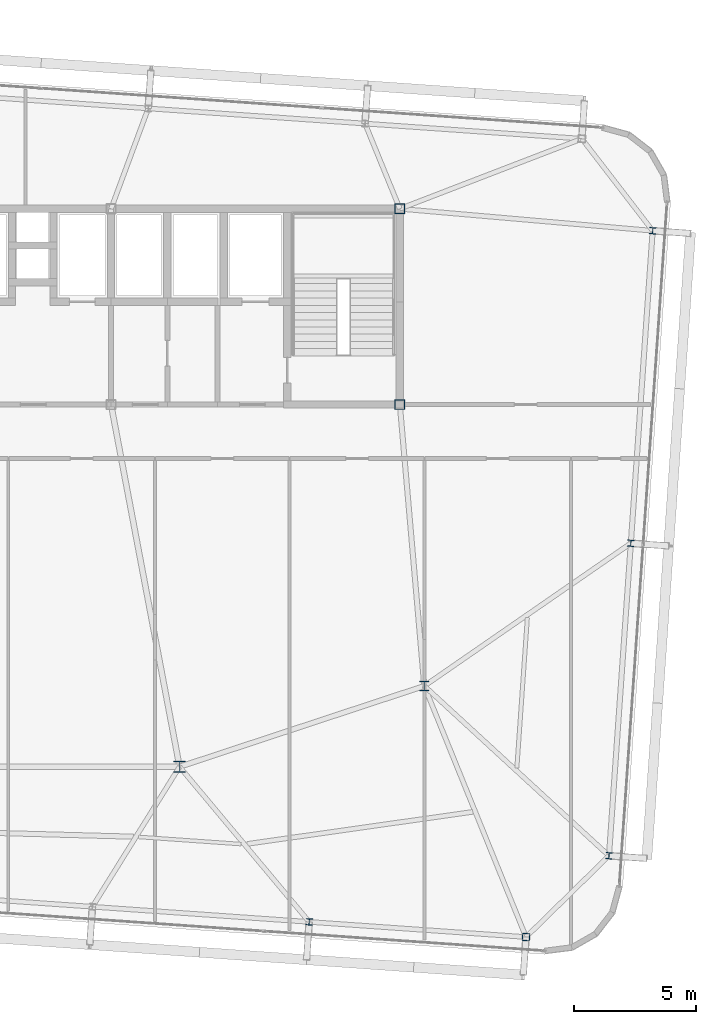
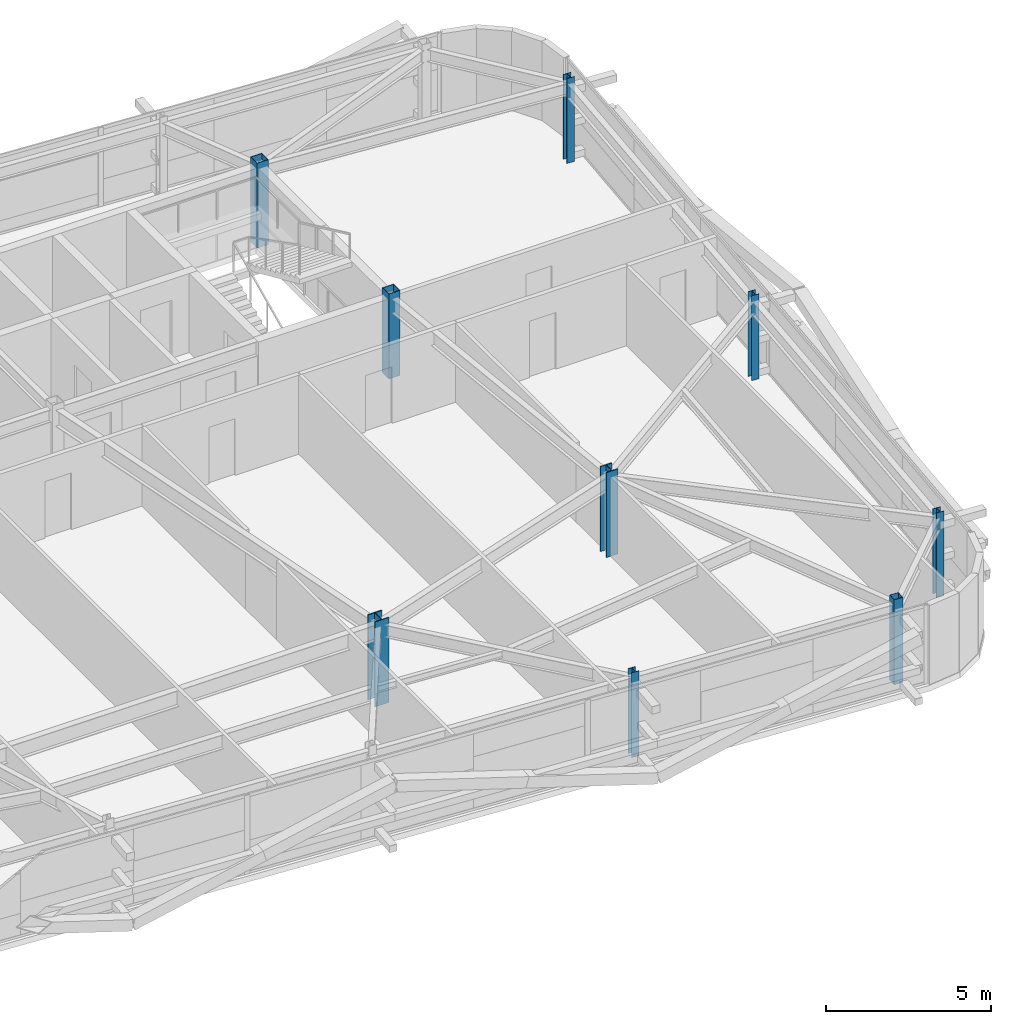
# One storey, part 3 of 39: 9 columns.
"""IFC4 building model written with IfcOpenShell, lengths in metres."""

from ifc_helpers import new_model, si_unit, direction, frame, origin, origin_2d, place, context, subcontext, project, spatial, hollow_rectangle, i_section, extrude, source, transform, mapped, material, material_profile, profile_set, type_object, element, save


model = new_model("IFC4")

# Units and contexts
model_context = context("Model", 3, precision=1e-05, world=origin(), true_north=direction((0.0, 1.0)))
body_context = subcontext(model_context, "Body", "Model", "MODEL_VIEW")
ifc_project = project(units=[si_unit("LENGTHUNIT", "METRE"), si_unit("AREAUNIT", "SQUARE_METRE"), si_unit("VOLUMEUNIT", "CUBIC_METRE"), si_unit("PLANEANGLEUNIT", "RADIAN"), si_unit("MASSUNIT", "GRAM", prefix="KILO")], contexts=[model_context])

# Site, building, storey
site_placement = place(None, origin())
site = spatial("IfcSite", under=ifc_project, at=site_placement, CompositionType="ELEMENT")
building_placement = place(site_placement, origin())
building = spatial("IfcBuilding", under=site, at=building_placement, Name="Taldren Reach Tower", CompositionType="ELEMENT")
storey_placement = place(building_placement, frame((0.0, 0.0, 120.39990234375)))
storey = spatial("IfcBuildingStorey", under=building, at=storey_placement, Name="L36", CompositionType="ELEMENT", Elevation=120.39990234375)

# Columns
ifc_material_1 = material(Name="Steel Gr 350 (350PLUS)", Category="steel")
ifc_material_profile_1 = material_profile(ifc_material_1, i_section(OverallWidth=0.39990234375, OverallDepth=0.39599609375, WebThickness=0.02197265625, FlangeThickness=0.033935546875, at=origin_2d()), Name="400WC270")
ifc_profile_set_1 = profile_set([ifc_material_profile_1], Name="Steel Gr 350 (350PLUS)")
column_type_1 = type_object("IfcColumnType", Name="COL-WC400", PredefinedType="COLUMN", material=ifc_profile_set_1)
shared_shape_1 = source(origin(), body_context, "Body", "SweptSolid", [
    extrude(i_section(OverallWidth=0.39990234375, OverallDepth=0.39599609375, WebThickness=0.02197265625, FlangeThickness=0.033935546875, at=origin_2d()), origin(), (0.0, 0.0, 1.0), 3.150146484375),
])
column_1_placement = place(storey_placement, frame((52.0, 12.5, 0.0), z_axis=(0.0, 0.0, 1.0), x_axis=(1.0, 0.0, 0.0)))
element("IfcColumn", 1, at=column_1_placement, inside=storey, type_object=column_type_1, Name="Mega column MC-SE L36", PredefinedType="COLUMN", context=body_context, shape_type="MappedRepresentation", body=[
    mapped(shared_shape_1, transform((0.0, 0.0, 0.0), scale=1.0)),
])
ifc_material_profile_2 = material_profile(ifc_material_1, i_section(OverallWidth=0.5, OverallDepth=0.464111328125, WebThickness=0.02197265625, FlangeThickness=0.033935546875, at=origin_2d()), Name="500WC340")
ifc_profile_set_2 = profile_set([ifc_material_profile_2], Name="Steel Gr 350 (350PLUS)")
column_type_2 = type_object("IfcColumnType", Name="COL-WC500B", PredefinedType="COLUMN", material=ifc_profile_set_2)
shared_shape_2 = source(origin(), body_context, "Body", "SweptSolid", [
    extrude(i_section(OverallWidth=0.5, OverallDepth=0.464111328125, WebThickness=0.02197265625, FlangeThickness=0.033935546875, at=origin_2d()), origin(), (0.0, 0.0, 1.0), 3.150146484375),
])
column_2_placement = place(storey_placement, frame((42.0, 9.199951171875, 0.0), z_axis=(0.0, 0.0, 1.0), x_axis=(1.0, 0.0, 0.0)))
element("IfcColumn", 2, at=column_2_placement, inside=storey, type_object=column_type_2, Name="Mega column MC-PJE L36", PredefinedType="COLUMN", context=body_context, shape_type="MappedRepresentation", body=[
    mapped(shared_shape_2, transform((0.0, 0.0, 0.0), scale=1.0)),
])
ifc_material_2 = material(Name="Steel Gr 450 (C450L0)", Category="steel")
ifc_material_profile_3 = material_profile(ifc_material_2, hollow_rectangle(XDim=0.39990234375, YDim=0.39990234375, WallThickness=0.01611328125, at=origin_2d()), Name="400x400x16.0SHS")
ifc_profile_set_3 = profile_set([ifc_material_profile_3], Name="Steel Gr 450 (C450L0)")
column_type_3 = type_object("IfcColumnType", Name="COL-SHS400", PredefinedType="COLUMN", material=ifc_profile_set_3)
shared_shape_3 = source(origin(), body_context, "Body", "SweptSolid", [
    extrude(hollow_rectangle(XDim=0.39990234375, YDim=0.39990234375, WallThickness=0.01611328125, at=origin_2d()), origin(), (0.0, 0.0, 1.0), 3.150146484375),
])
for number, where, z_axis, x_axis, name in (
    (3, (51.0, 24.0, 0.0), (0.0, 0.0, 1.0), (1.0, 0.0, 0.0), "Mega column MC-C4 L36"),
    (4, (51.0, 32.0, 0.0), (0.0, 0.0, 1.0), (1.0, 0.0, 0.0), "Mega column MC-C8 L36"),
):
    element("IfcColumn", number, at=place(storey_placement, frame(where, z_axis=z_axis, x_axis=x_axis)), inside=storey, type_object=column_type_3, Name=name, PredefinedType="COLUMN", context=body_context, shape_type="MappedRepresentation", body=[
        mapped(shared_shape_3, transform((0.0, 0.0, 0.0), scale=1.0)),
    ])
ifc_material_profile_4 = material_profile(ifc_material_2, hollow_rectangle(XDim=0.300048828125, YDim=0.300048828125, WallThickness=0.012451171875, at=origin_2d()), Name="300x300x12.5SHS")
ifc_profile_set_4 = profile_set([ifc_material_profile_4], Name="Steel Gr 450 (C450L0)")
column_type_4 = type_object("IfcColumnType", Name="COL-SHS300", PredefinedType="COLUMN", material=ifc_profile_set_4)
shared_shape_4 = source(origin(), body_context, "Body", "SweptSolid", [
    extrude(hollow_rectangle(XDim=0.300048828125, YDim=0.300048828125, WallThickness=0.012451171875, at=origin_2d()), origin(), (0.0, 0.0, 1.0), 3.150146484375),
])
column_3_placement = place(storey_placement, frame((56.155517578125, 2.2412109375, 0.0), z_axis=(0.0, 0.0, 1.0), x_axis=(0.99756405026, -0.069756473744, 0.0)))
element("IfcColumn", 5, at=column_3_placement, inside=storey, type_object=column_type_4, Name="Block B3 perimeter column S6 L36", PredefinedType="COLUMN", context=body_context, shape_type="MappedRepresentation", body=[
    mapped(shared_shape_4, transform((0.0, 0.0, 0.0), scale=1.0)),
])
ifc_material_profile_5 = material_profile(ifc_material_1, i_section(OverallWidth=0.256103515625, OverallDepth=0.260009765625, WebThickness=0.010498046875, FlangeThickness=0.017333984375, at=origin_2d()), Name="250UC89.5")
ifc_profile_set_5 = profile_set([ifc_material_profile_5], Name="Steel Gr 350 (350PLUS)")
column_type_5 = type_object("IfcColumnType", Name="COL-UC250", PredefinedType="COLUMN", material=ifc_profile_set_5)
shared_shape_5 = source(origin(), body_context, "Body", "SweptSolid", [
    extrude(i_section(OverallWidth=0.256103515625, OverallDepth=0.260009765625, WebThickness=0.010498046875, FlangeThickness=0.017333984375, at=origin_2d()), origin(), (0.0, 0.0, 1.0), 3.150146484375),
])
for number, where, z_axis, x_axis, name in (
    (6, (47.297119140625, 2.860595703125, 0.0), (0.0, 0.0, 1.0), (0.99756405026, -0.069756473744, 0.0), "Block B3 perimeter column S5 L36"),
    (7, (59.54541015625, 5.562744140625, 0.0), (0.0, 0.0, 1.0), (0.99756405026, -0.069756473744, 0.0), "Block B3 perimeter column E1 L36"),
    (8, (60.438232421875, 18.331787109375, 0.0), (0.0, 0.0, 1.0), (0.99756405026, -0.069756473744, 0.0), "Block B3 perimeter column E2 L36"),
    (9, (61.3310546875, 31.1005859375, 0.0), (0.0, 0.0, 1.0), (0.99756405026, -0.069756473744, 0.0), "Block B3 perimeter column E3 L36"),
):
    element("IfcColumn", number, at=place(storey_placement, frame(where, z_axis=z_axis, x_axis=x_axis)), inside=storey, type_object=column_type_5, Name=name, PredefinedType="COLUMN", context=body_context, shape_type="MappedRepresentation", body=[
        mapped(shared_shape_5, transform((0.0, 0.0, 0.0), scale=1.0)),
    ])

save(model, "model.ifc")
